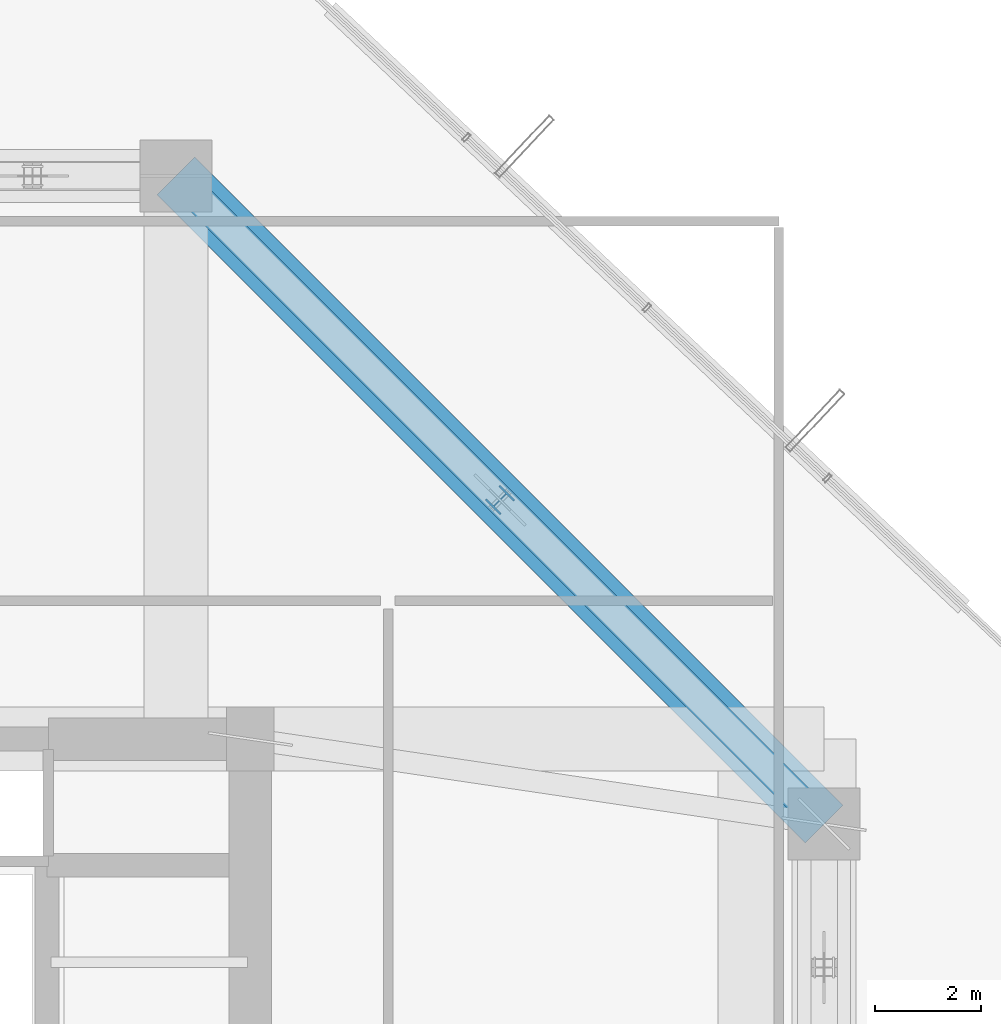
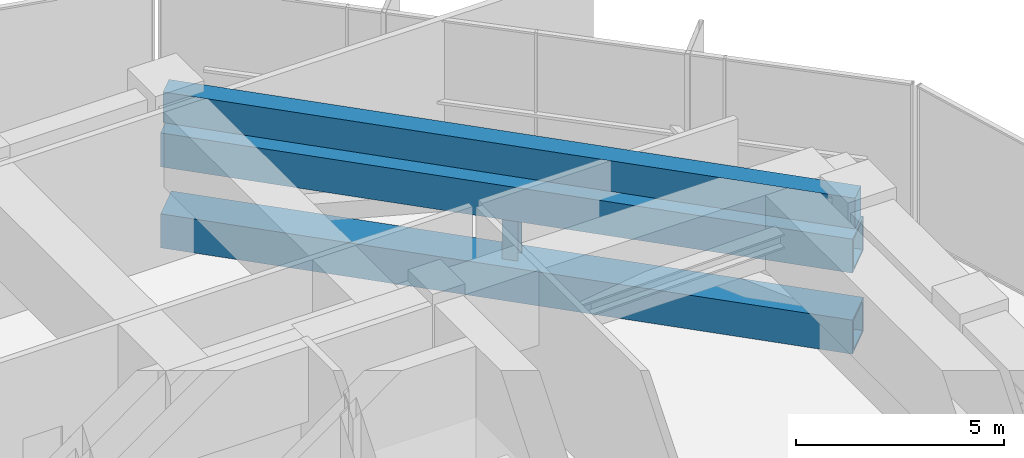
# One storey, part 30 of 41: 3 members, 1 beam.
"""IFC4 building model written with IfcOpenShell, lengths in metres."""

from ifc_helpers import new_model, si_unit, direction, frame, origin, origin_2d, place, context, subcontext, project, spatial, rectangle, hollow_rectangle, i_section, extrude, material, material_profile, profile_set, type_object, element, save


model = new_model("IFC4")

# Units and contexts
model_context = context("Model", 3, precision=1e-05, world=origin(), true_north=direction((0.0, 1.0)))
body_context = subcontext(model_context, "Body", "Model", "MODEL_VIEW")
ifc_project = project(units=[si_unit("LENGTHUNIT", "METRE"), si_unit("AREAUNIT", "SQUARE_METRE"), si_unit("VOLUMEUNIT", "CUBIC_METRE"), si_unit("PLANEANGLEUNIT", "RADIAN"), si_unit("MASSUNIT", "GRAM", prefix="KILO")], contexts=[model_context])

# Site, building, storey
site_placement = place(None, origin())
site = spatial("IfcSite", under=ifc_project, at=site_placement, CompositionType="ELEMENT")
building_placement = place(site_placement, origin())
building = spatial("IfcBuilding", under=site, at=building_placement, Name="Veraguas Prism Commons", CompositionType="ELEMENT")
storey_placement = place(building_placement, frame((0.0, 0.0, 80.35009765625)))
storey = spatial("IfcBuildingStorey", under=building, at=storey_placement, Name="L22", CompositionType="ELEMENT", Elevation=80.35009765625)

# Members
ifc_material_1 = material(Name="Steel ASTM A913 Grade 65", Category="steel")
ifc_material_profile_1 = material_profile(ifc_material_1, hollow_rectangle(XDim=1.0, YDim=1.0, WallThickness=0.070068359375, at=origin_2d()), Name="BOX1000X1000X70")
ifc_profile_set_1 = profile_set([ifc_material_profile_1], Name="Steel ASTM A913 Grade 65")
member_type_1 = type_object("IfcMemberType", Name="Belt Truss Chord L22 Box 1000x1000x70", PredefinedType="CHORD", material=ifc_profile_set_1)
for number, where, z_axis, x_axis, name in (
    (1, (41.60009765625, 29.39990234375, 0.5498046875), (-0.707106781187, 0.707106781187, 0.0), (-0.707106781187, -0.707106781187, 0.0), "Perimeter Belt Truss Chord Bottom L22-03"),
    (2, (41.60009765625, 29.39990234375, 2.929931640625), (-0.707106781187, 0.707106781187, 0.0), (-0.707106781187, -0.707106781187, 0.0), "Perimeter Belt Truss Chord Top L22-03"),
):
    element("IfcMember", number, at=place(storey_placement, frame(where, z_axis=z_axis, x_axis=x_axis)), inside=storey, type_object=member_type_1, Name=name, PredefinedType="CHORD", context=body_context, shape_type="SweptSolid", body=[
        extrude(hollow_rectangle(XDim=1.0, YDim=1.0, WallThickness=0.070068359375, at=origin_2d()), origin(), (0.0, 0.0, 1.0), 17.253662109375),
    ])
ifc_material_2 = material(Name="Steel ASTM A992 Grade 50", Category="steel")
ifc_material_profile_2 = material_profile(ifc_material_2, i_section(OverallWidth=0.39794921875, OverallDepth=0.386962890625, WebThickness=0.01904296875, FlangeThickness=0.0302734375, at=origin_2d()), Name="W360X262")
ifc_profile_set_2 = profile_set([ifc_material_profile_2], Name="Steel ASTM A992 Grade 50")
member_type_2 = type_object("IfcMemberType", Name="Belt Truss Vertical Strut W360x262", PredefinedType="STRUT", material=ifc_profile_set_2)
member_placement = place(storey_placement, frame((35.5, 35.5, 0.5498046875), z_axis=(0.0, 0.0, 1.0), x_axis=(-0.707106781187, 0.707106781187, 0.0)))
element("IfcMember", 3, at=member_placement, inside=storey, type_object=member_type_2, Name="Perimeter Belt Truss Strut L22-03", PredefinedType="STRUT", context=body_context, shape_type="SweptSolid", body=[
    extrude(i_section(OverallWidth=0.39794921875, OverallDepth=0.386962890625, WebThickness=0.01904296875, FlangeThickness=0.0302734375, at=origin_2d()), origin(), (0.0, 0.0, 1.0), 2.380126953125),
])

# Beam
ifc_material_3 = material(Name="Concrete C50/60", Category="concrete")
ifc_material_profile_3 = material_profile(ifc_material_3, rectangle(XDim=0.550048828125, YDim=0.89990234375, at=origin_2d()), Name="RC550X900")
ifc_profile_set_3 = profile_set([ifc_material_profile_3], Name="Concrete C50/60")
beam_type = type_object("IfcBeamType", Name="Perimeter Spandrel Lower RC 550x900", PredefinedType="SPANDREL", material=ifc_profile_set_3)
beam_placement = place(storey_placement, frame((41.60009765625, 29.39990234375, 4.02978515625), z_axis=(-0.707106781187, 0.707106781187, 0.0), x_axis=(-0.707106781187, -0.707106781187, 0.0)))
element("IfcBeam", 4, at=beam_placement, inside=storey, type_object=beam_type, Name="Perimeter Spandrel Beam L22-SP03", PredefinedType="SPANDREL", context=body_context, shape_type="SweptSolid", body=[
    extrude(rectangle(XDim=0.550048828125, YDim=0.89990234375, at=origin_2d()), origin(), (0.0, 0.0, 1.0), 17.253662109375),
])

save(model, "model.ifc")
